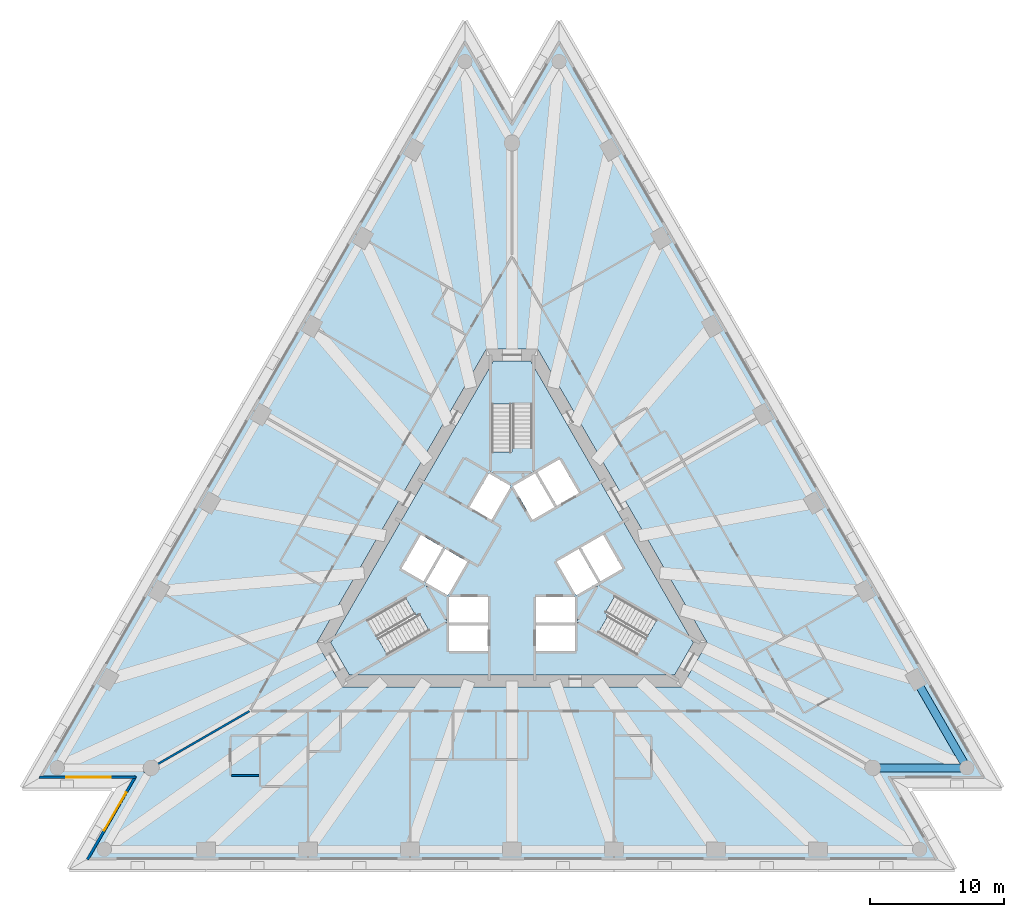
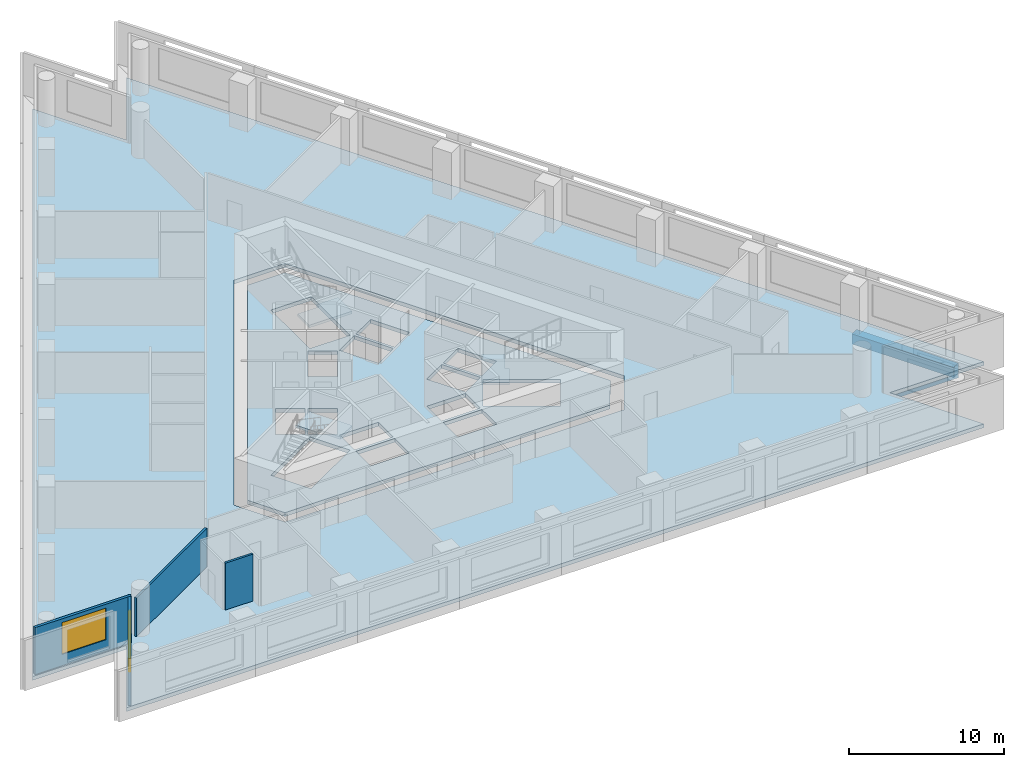
# One storey, part 2 of 11: 5 slabs, 4 walls, 2 beams, 2 windows, 2 openings, 3 elements without a shape of their own.
"""IFC4 building model written with IfcOpenShell, lengths in metres."""

from ifc_helpers import new_model, si_unit, direction, frame, frame_2d, origin, origin_2d, place, context, subcontext, project, spatial, polyline, rectangle, outline, extrude, material, layer, layer_set, layer_usage, material_profile, profile_set, type_object, element, fill, aggregate, save


model = new_model("IFC4")

# Units and contexts
model_context = context("Model", 3, precision=1e-05, world=origin(), true_north=direction((0.0, 1.0)))
body_context = subcontext(model_context, "Body", "Model", "MODEL_VIEW")
ifc_project = project(units=[si_unit("LENGTHUNIT", "METRE"), si_unit("AREAUNIT", "SQUARE_METRE"), si_unit("VOLUMEUNIT", "CUBIC_METRE"), si_unit("PLANEANGLEUNIT", "RADIAN"), si_unit("MASSUNIT", "GRAM", prefix="KILO")], contexts=[model_context])

# Site, building, storey
site_placement = place(None, origin())
site = spatial("IfcSite", under=ifc_project, at=site_placement, CompositionType="ELEMENT")
building_placement = place(site_placement, origin())
building = spatial("IfcBuilding", under=site, at=building_placement, Name="Triada Interchange Tower", CompositionType="ELEMENT")
storey_placement = place(building_placement, frame((0.0, 0.0, 43.300048828125)))
storey = spatial("IfcBuildingStorey", under=building, at=storey_placement, Name="L08", CompositionType="ELEMENT", Elevation=43.300048828125)

# Beams
ifc_material_1 = material(Name="Concrete C50/60", Category="concrete")
ifc_material_profile = material_profile(ifc_material_1, rectangle(XDim=0.60009765625, YDim=0.800048828125, at=origin_2d()), Name="RC 600x800")
ifc_profile_set = profile_set([ifc_material_profile], Name="Concrete C50/60")
beam_type = type_object("IfcBeamType", Name="Spandrel beam A RC 600x800", PredefinedType="BEAM", material=ifc_profile_set)
beam_1_placement = place(storey_placement, frame((26.889892578125, -15.52490234375, -0.699951171875), z_axis=(1.0, 0.0, 0.0), x_axis=(0.0, 1.0, 0.0)))
element("IfcBeam", 1, at=beam_1_placement, inside=storey, type_object=beam_type, Name="Spandrel beam EA20 L08", PredefinedType="BEAM", context=body_context, shape_type="SweptSolid", body=[
    extrude(rectangle(XDim=0.60009765625, YDim=0.800048828125, at=origin_2d()), origin(), (0.0, 0.0, 1.0), 7.01513671875),
])
beam_2_placement = place(storey_placement, frame((33.905029296875, -15.52490234375, -0.699951171875), z_axis=(-0.500060803479, 0.865990296034, 0.0), x_axis=(-0.865990296034, -0.500060803479, 0.0)))
element("IfcBeam", 2, at=beam_2_placement, inside=storey, type_object=beam_type, Name="Spandrel beam EA21 L08", PredefinedType="BEAM", context=body_context, shape_type="SweptSolid", body=[
    extrude(rectangle(XDim=0.60009765625, YDim=0.800048828125, at=origin_2d()), origin(), (0.0, 0.0, 1.0), 7.59912109375),
])

# Slabs
ifc_layer_1 = layer(ifc_material_1, 0.300048828125)
ifc_layer_set_1 = layer_set([ifc_layer_1], Name="Floor slab 300")
slab_type_1 = type_object("IfcSlabType", Name="Floor slab 300", PredefinedType="FLOOR", material=ifc_layer_set_1)
slab_1_placement = place(storey_placement, frame((0.0, 0.0, -0.300048828125)))
element("IfcSlab", 3, at=slab_1_placement, inside=storey, type_object=slab_type_1, Name="Floor slab L08", PredefinedType="FLOOR", context=body_context, shape_type="SweptSolid", body=[
    extrude(outline(polyline([(-3.507080078125, 38.925048828125), (-35.464111328125, -16.425048828125), (-28.448974609375, -16.425048828125), (-31.9560546875, -22.5), (31.9560546875, -22.5), (28.448974609375, -16.425048828125), (35.464111328125, -16.425048828125), (3.507080078125, 38.925048828125), (0.0, 32.85009765625), (-3.507080078125, 38.925048828125)]), holes=[polyline([(1.905029296875, 15.699951171875), (-1.905029296875, 15.699951171875), (-14.549072265625, -6.199951171875), (-12.64404296875, -9.5), (12.64404296875, -9.5), (14.549072265625, -6.199951171875), (1.905029296875, 15.699951171875)])]), origin(), (0.0, 0.0, 1.0), 0.300048828125),
])
slab_2_placement = place(storey_placement, frame((0.0, 0.0, -0.300048828125)))
element("IfcSlab", 4, at=slab_2_placement, inside=storey, type_object=slab_type_1, Name="Core floor slab L08 1", PredefinedType="FLOOR", context=body_context, shape_type="SweptSolid", body=[
    extrude(outline(polyline([(13.510009765625, -6.199951171875), (12.1240234375, -8.60009765625), (-12.1240234375, -8.60009765625), (-13.510009765625, -6.199951171875), (-1.385986328125, 14.800048828125), (1.385986328125, 14.800048828125), (13.510009765625, -6.199951171875)]), holes=[polyline([(9.2958984375, -7.09912109375), (10.7958984375, -4.5009765625), (6.466064453125, -2.0009765625), (4.966064453125, -4.59912109375), (9.2958984375, -7.09912109375)]), polyline([(6.7890625, 1.841064453125), (5.14404296875, 0.89111328125), (6.593994140625, -1.6201171875), (8.239013671875, -0.669921875), (6.7890625, 1.841064453125)]), polyline([(4.969970703125, 0.791015625), (3.324951171875, -0.158935546875), (4.77490234375, -2.669921875), (6.419921875, -1.719970703125), (4.969970703125, 0.791015625)]), polyline([(1.89404296875, 6.52001953125), (3.343994140625, 4.009033203125), (4.989013671875, 4.958984375), (3.5390625, 7.469970703125), (1.89404296875, 6.52001953125)]), polyline([(1.800048828125, -4.89990234375), (1.800048828125, -6.800048828125), (4.699951171875, -6.800048828125), (4.699951171875, -4.89990234375), (1.800048828125, -4.89990234375)]), polyline([(1.800048828125, -2.800048828125), (1.800048828125, -4.031005859375), (1.800048828125, -4.699951171875), (4.699951171875, -4.699951171875), (4.699951171875, -2.800048828125), (1.800048828125, -2.800048828125)]), polyline([(1.52490234375, 2.958984375), (1.68408203125, 3.051025390625), (3.169921875, 3.908935546875), (1.719970703125, 6.419921875), (0.074951171875, 5.469970703125), (1.52490234375, 2.958984375)]), polyline([(1.5, 11.60009765625), (-1.5, 11.60009765625), (-1.5, 6.60009765625), (1.5, 6.60009765625), (1.5, 11.60009765625)]), polyline([(-0.074951171875, 5.469970703125), (-1.719970703125, 6.419921875), (-3.169921875, 3.908935546875), (-1.6298828125, 3.01904296875), (-1.52490234375, 2.958984375), (-0.074951171875, 5.469970703125)]), polyline([(-4.699951171875, -2.800048828125), (-4.699951171875, -4.699951171875), (-1.800048828125, -4.699951171875), (-1.800048828125, -4.031005859375), (-1.800048828125, -2.800048828125), (-4.699951171875, -2.800048828125)]), polyline([(-4.699951171875, -4.89990234375), (-4.699951171875, -6.800048828125), (-1.800048828125, -6.800048828125), (-1.800048828125, -4.89990234375), (-4.699951171875, -4.89990234375)]), polyline([(-4.77490234375, -2.669921875), (-3.324951171875, -0.158935546875), (-4.969970703125, 0.791015625), (-6.419921875, -1.719970703125), (-4.77490234375, -2.669921875)]), polyline([(-10.7958984375, -4.5009765625), (-9.2958984375, -7.09912109375), (-4.966064453125, -4.59912109375), (-6.466064453125, -2.0009765625), (-10.7958984375, -4.5009765625)]), polyline([(-6.593994140625, -1.6201171875), (-5.14404296875, 0.89111328125), (-6.7890625, 1.841064453125), (-8.239013671875, -0.669921875), (-6.593994140625, -1.6201171875)])]), origin(), (0.0, 0.0, 1.0), 0.300048828125),
])

# Stair, slab
ifc_material_2 = material(Name="Concrete C35/45", Category="concrete")
stair_type = type_object("IfcStairType", Name="HALF TURN STAIR 1400", PredefinedType="HALF_TURN_STAIR", material=ifc_material_2)
stair_1_placement = place(storey_placement, origin())
stair_1 = element("IfcStair", 5, at=stair_1_placement, inside=storey, type_object=stair_type, Name="Exit stair S06-1", PredefinedType="HALF_TURN_STAIR")
ifc_layer_2 = layer(ifc_material_2, 0.199951171875)
ifc_layer_set_2 = layer_set([ifc_layer_2], Name="STAIR LANDING 200")
slab_type_2 = type_object("IfcSlabType", Name="STAIR LANDING 200", PredefinedType="LANDING", material=ifc_layer_set_2)
slab_3_placement = place(storey_placement, frame((0.0, 0.0, 1.719970703125)))
slab_3 = element("IfcSlab", 6, at=slab_3_placement, type_object=slab_type_2, Name="S06-1 landing 1", PredefinedType="LANDING", context=body_context, shape_type="SweptSolid", body=[
    extrude(outline(polyline([(1.60009765625, 6.5), (1.60009765625, 8.300048828125), (0.0, 8.300048828125), (0.0, 8.0), (-1.60009765625, 8.0), (-1.60009765625, 6.5), (1.60009765625, 6.5)])), origin(), (0.0, 0.0, 1.0), 0.199951171875),
])
aggregate(stair_1, [slab_3])

stair_2_placement = place(storey_placement, origin())
stair_2 = element("IfcStair", 7, at=stair_2_placement, inside=storey, type_object=stair_type, Name="Exit stair S06-2", PredefinedType="HALF_TURN_STAIR")
slab_4_placement = place(storey_placement, frame((0.0, 0.0, 1.719970703125)))
slab_4 = element("IfcSlab", 8, at=slab_4_placement, type_object=slab_type_2, Name="S06-2 landing 1", PredefinedType="LANDING", context=body_context, shape_type="SweptSolid", body=[
    extrude(outline(polyline([(-6.428955078125, -1.864013671875), (-7.988037109375, -2.763916015625), (-7.18798828125, -4.14990234375), (-6.927978515625, -4.0), (-6.1279296875, -5.385986328125), (-4.8291015625, -4.635986328125), (-6.428955078125, -1.864013671875)])), origin(), (0.0, 0.0, 1.0), 0.199951171875),
])
aggregate(stair_2, [slab_4])

stair_3_placement = place(storey_placement, origin())
stair_3 = element("IfcStair", 9, at=stair_3_placement, inside=storey, type_object=stair_type, Name="Exit stair S06-3", PredefinedType="HALF_TURN_STAIR")
slab_5_placement = place(storey_placement, frame((0.0, 0.0, 1.719970703125)))
slab_5 = element("IfcSlab", 10, at=slab_5_placement, type_object=slab_type_2, Name="S06-3 landing 1", PredefinedType="LANDING", context=body_context, shape_type="SweptSolid", body=[
    extrude(outline(polyline([(4.8291015625, -4.635986328125), (6.387939453125, -5.535888671875), (7.18798828125, -4.14990234375), (6.927978515625, -4.0), (7.72802734375, -2.614013671875), (6.428955078125, -1.864013671875), (4.8291015625, -4.635986328125)])), origin(), (0.0, 0.0, 1.0), 0.199951171875),
])
aggregate(stair_3, [slab_5])

# Wall, opening, window
ifc_material_3 = material(Name="Cement board")
ifc_layer_3 = layer(ifc_material_3, 0.02001953125, Name="Cement board cladding")
ifc_material_4 = material(Name="Sheathing board")
ifc_layer_4 = layer(ifc_material_4, 0.014892578125, Name="Sheathing board")
ifc_material_5 = material(Name="Mineral wool")
ifc_layer_5 = layer(ifc_material_5, 0.14990234375, Name="Mineral wool between steel studs")
ifc_material_6 = material(Name="Gypsum board")
ifc_layer_6 = layer(ifc_material_6, 0.014892578125, Name="Plasterboard lining")
ifc_layer_set_3 = layer_set([ifc_layer_3, ifc_layer_4, ifc_layer_5, ifc_layer_6], Name="External wall 200")
ifc_layer_usage = layer_usage(ifc_layer_set_3, "AXIS2", "POSITIVE", -0.10009765625)
wall_type_1 = type_object("IfcWallType", Name="External wall 200", PredefinedType="ELEMENTEDWALL", material=ifc_layer_set_3)
wall_1_placement = place(storey_placement, frame((-35.2080078125, -16.22509765625, 0.0), z_axis=(0.0, 0.0, 1.0), x_axis=(1.0, 0.0, 0.0)))
wall_1 = element("IfcWall", 11, at=wall_1_placement, inside=storey, type_object=wall_type_1, material=ifc_layer_usage, Name="External wall L08 SW-1", PredefinedType="ELEMENTEDWALL", context=body_context, shape_type="SweptSolid", body=[
    extrude(rectangle(XDim=7.175048828125, YDim=0.199951171875, at=frame_2d((3.58740234375, 0.0))), origin(), (0.0, 0.0, 1.0), 3.699951171875),
])
opening_1_placement = place(wall_1_placement, frame((1.989990234375, 0.0, 0.89990234375)))
opening_1 = element("IfcOpeningElement", 12, at=opening_1_placement, cuts=wall_1, Name="Opening WA09", PredefinedType="OPENING", context=body_context, shape_type="SweptSolid", body=[
    extrude(rectangle(XDim=3.300048828125, YDim=2.5, at=frame_2d((1.64990234375, 1.25))), frame((0.0, 0.10986328125, 0.0), z_axis=(0.0, -1.0, 0.0), x_axis=(1.0, 0.0, 0.0)), (0.0, 0.0, 1.0), 0.219970703125),
])
ifc_material_7 = material(Name="Double glazed aluminium window", Category="aluminium")
window_type = type_object("IfcWindowType", Name="Ribbon window A pocket", PartitioningType="SINGLE_PANEL", PredefinedType="WINDOW", material=ifc_material_7)
window_1_placement = place(opening_1_placement, origin())
window_1 = element("IfcWindow", 13, at=window_1_placement, inside=storey, type_object=window_type, Name="Window L08 SW-1 1", OverallHeight=2.5, OverallWidth=3.300048828125, PartitioningType="SINGLE_PANEL", PredefinedType="WINDOW", context=body_context, shape_type="SweptSolid", body=[
    extrude(rectangle(XDim=3.300048828125, YDim=2.5, at=frame_2d((1.64990234375, 1.25))), frame((0.0, 0.030029296875, 0.0), z_axis=(0.0, -1.0, 0.0), x_axis=(1.0, 0.0, 0.0)), (0.0, 0.0, 1.0), 0.06005859375),
])
fill(opening_1, window_1)

wall_2_placement = place(storey_placement, frame((-28.05810546875, -16.14697265625, 0.0), z_axis=(0.0, 0.0, 1.0), x_axis=(-0.499915874128, -0.866073968431, 0.0)))
wall_2 = element("IfcWall", 14, at=wall_2_placement, inside=storey, type_object=wall_type_1, material=ifc_layer_usage, Name="External wall L08 SW-2", PredefinedType="ELEMENTEDWALL", context=body_context, shape_type="SweptSolid", body=[
    extrude(rectangle(XDim=7.175048828125, YDim=0.199951171875, at=frame_2d((3.58740234375, 0.0))), origin(), (0.0, 0.0, 1.0), 3.699951171875),
])
opening_2_placement = place(wall_2_placement, frame((1.389892578125, 0.0, 0.89990234375)))
opening_2 = element("IfcOpeningElement", 15, at=opening_2_placement, cuts=wall_2, Name="Opening WA10", PredefinedType="OPENING", context=body_context, shape_type="SweptSolid", body=[
    extrude(rectangle(XDim=3.300048828125, YDim=2.5, at=frame_2d((1.64990234375, 1.25))), frame((0.0, 0.10986328125, 0.0), z_axis=(0.0, -1.0, 0.0), x_axis=(1.0, 0.0, 0.0)), (0.0, 0.0, 1.0), 0.219970703125),
])
window_2_placement = place(opening_2_placement, origin())
window_2 = element("IfcWindow", 16, at=window_2_placement, inside=storey, type_object=window_type, Name="Window L08 SW-2 1", OverallHeight=2.5, OverallWidth=3.300048828125, PartitioningType="SINGLE_PANEL", PredefinedType="WINDOW", context=body_context, shape_type="SweptSolid", body=[
    extrude(rectangle(XDim=3.300048828125, YDim=2.5, at=frame_2d((1.64990234375, 1.25))), frame((0.0, 0.030029296875, 0.0), z_axis=(0.0, -1.0, 0.0), x_axis=(1.0, 0.0, 0.0)), (0.0, 0.0, 1.0), 0.06005859375),
])
fill(opening_2, window_2)

# Walls
ifc_material_8 = material(Name="Gypsum board partition")
ifc_layer_7 = layer(ifc_material_8, 0.14990234375)
ifc_layer_set_4 = layer_set([ifc_layer_7], Name="PARTITION 150 EI 180")
wall_type_2 = type_object("IfcWallType", Name="PARTITION 150 EI 180", PredefinedType="PARTITIONING", material=ifc_layer_set_4)
wall_3_placement = place(storey_placement, frame((-27.427001953125, -15.8349609375, 0.0), z_axis=(0.0, 0.0, 1.0), x_axis=(0.866033184421, 0.499986523299, 0.0)))
element("IfcWall", 17, at=wall_3_placement, inside=storey, type_object=wall_type_2, Name="Wall L06 1", PredefinedType="PARTITIONING", context=body_context, shape_type="SweptSolid", body=[
    extrude(rectangle(XDim=9.070068359375, YDim=0.14990234375, at=frame_2d((4.53515625, 0.0))), origin(), (0.0, 0.0, 1.0), 3.050048828125),
])
ifc_layer_8 = layer(ifc_material_8, 0.14990234375)
ifc_layer_set_5 = layer_set([ifc_layer_8], Name="PARTITION 150 EI 90")
wall_type_3 = type_object("IfcWallType", Name="PARTITION 150 EI 90", PredefinedType="PARTITIONING", material=ifc_layer_set_5)
wall_4_placement = place(storey_placement, frame((-20.923095703125, -16.10009765625, 0.0), z_axis=(0.0, 0.0, 1.0), x_axis=(1.0, 0.0, 0.0)))
element("IfcWall", 18, at=wall_4_placement, inside=storey, type_object=wall_type_3, Name="Wall L06 37", PredefinedType="PARTITIONING", context=body_context, shape_type="SweptSolid", body=[
    extrude(rectangle(XDim=2.050048828125, YDim=0.14990234375, at=frame_2d((1.02490234375, 0.0))), origin(), (0.0, 0.0, 1.0), 3.699951171875),
])

save(model, "model.ifc")
